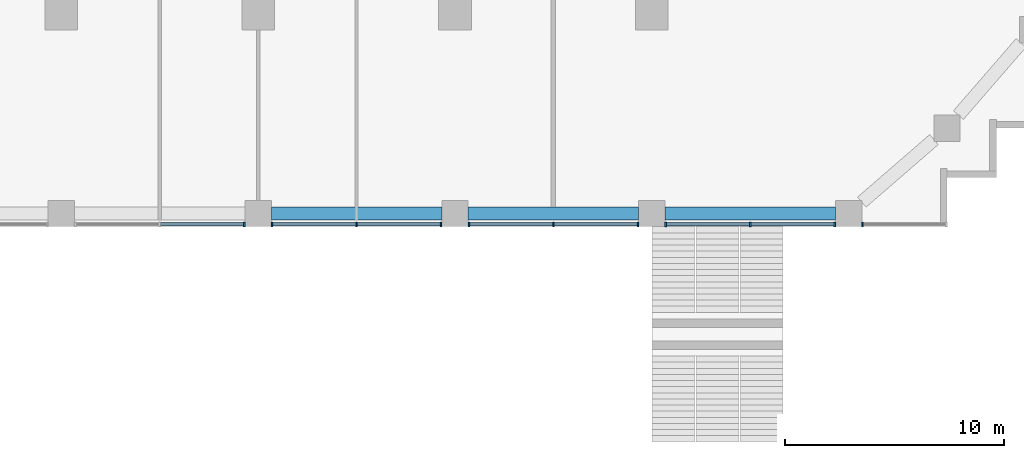
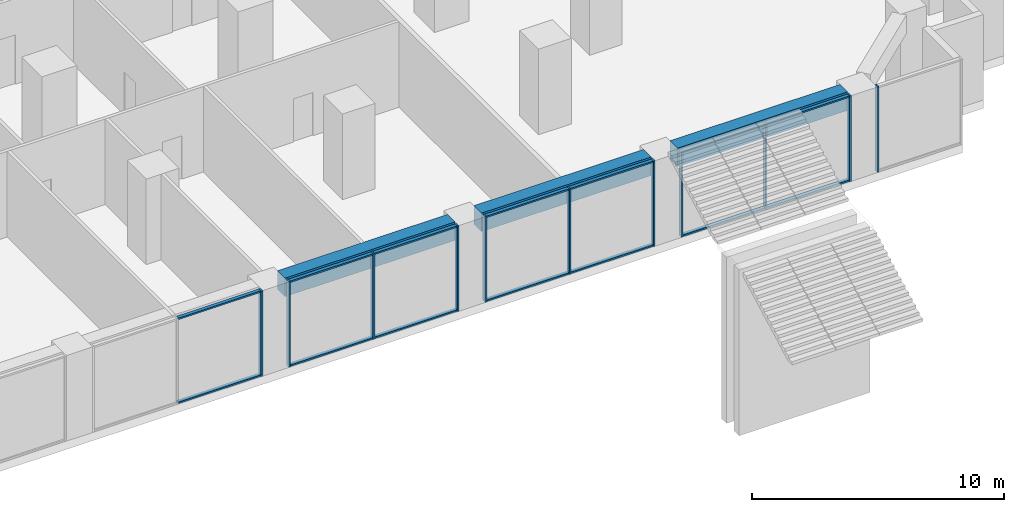
# One storey, part 4 of 18: 25 members, 3 beams, 5 elements without a shape of their own.
"""IFC4 building model written with IfcOpenShell, lengths in metres."""

from ifc_helpers import new_model, si_unit, direction, frame, origin, origin_2d, place, context, subcontext, project, spatial, rectangle, extrude, material, material_profile, profile_set, type_object, element, aggregate, save


model = new_model("IFC4")

# Units and contexts
model_context = context("Model", 3, precision=1e-05, world=origin(), true_north=direction((0.0, 1.0)))
body_context = subcontext(model_context, "Body", "Model", "MODEL_VIEW")
ifc_project = project(units=[si_unit("LENGTHUNIT", "METRE"), si_unit("AREAUNIT", "SQUARE_METRE"), si_unit("VOLUMEUNIT", "CUBIC_METRE"), si_unit("PLANEANGLEUNIT", "RADIAN"), si_unit("MASSUNIT", "GRAM", prefix="KILO")], contexts=[model_context])

# Site, building, storey
site_placement = place(None, origin())
site = spatial("IfcSite", under=ifc_project, at=site_placement, CompositionType="ELEMENT")
building_placement = place(site_placement, origin())
building = spatial("IfcBuilding", under=site, at=building_placement, Name="Orbiselva Terraces", CompositionType="ELEMENT")
storey_placement = place(building_placement, frame((0.0, 0.0, 6.0)))
storey = spatial("IfcBuildingStorey", under=building, at=storey_placement, Name="L01", CompositionType="ELEMENT", Elevation=6.0)

# Curtain wall, member
ifc_material_1 = material(Name="Clear low-e glazing in aluminium frame", Category="aluminium")
curtain_wall_type = type_object("IfcCurtainWallType", Name="ENV-CW-LOBBY", PredefinedType="NOTDEFINED", material=ifc_material_1)
curtain_wall_1_placement = place(storey_placement, origin())
curtain_wall_1 = element("IfcCurtainWall", 1, at=curtain_wall_1_placement, inside=storey, type_object=curtain_wall_type, Name="Curtain wall L01 S", PredefinedType="NOTDEFINED")
ifc_material_2 = material(Name="Anodised aluminium", Category="aluminium")
ifc_material_profile_1 = material_profile(ifc_material_2, rectangle(XDim=0.2, YDim=0.075, at=origin_2d()), Name="AL 75x200")
ifc_profile_set_1 = profile_set([ifc_material_profile_1], Name="Anodised aluminium")
member_type_1 = type_object("IfcMemberType", Name="ENV-CW-LOBBY-MULLION-75x200", PredefinedType="MULLION", material=ifc_profile_set_1)
member_1_placement = place(storey_placement, frame((-0.6375, -31.4, 0.0), z_axis=(0.0, 0.0, 1.0), x_axis=(0.0, 1.0, 0.0)))
member_1 = element("IfcMember", 2, at=member_1_placement, type_object=member_type_1, Name="CW1 mullion 3", PredefinedType="MULLION", context=body_context, shape_type="SweptSolid", body=[
    extrude(rectangle(XDim=0.2, YDim=0.075, at=origin_2d()), origin(), (0.0, 0.0, 1.0), 4.15),
])

# Curtain wall, members
curtain_wall_2_placement = place(storey_placement, origin())
curtain_wall_2 = element("IfcCurtainWall", 3, at=curtain_wall_2_placement, inside=storey, type_object=curtain_wall_type, Name="Curtain wall L01 S", PredefinedType="NOTDEFINED")
member_2_placement = place(storey_placement, frame((0.6375, -31.4, 0.0), z_axis=(0.0, 0.0, 1.0), x_axis=(0.0, 1.0, 0.0)))
member_2 = element("IfcMember", 4, at=member_2_placement, type_object=member_type_1, Name="CW1 mullion 1", PredefinedType="MULLION", context=body_context, shape_type="SweptSolid", body=[
    extrude(rectangle(XDim=0.2, YDim=0.075, at=origin_2d()), origin(), (0.0, 0.0, 1.0), 4.15),
])
member_3_placement = place(storey_placement, frame((4.5, -31.4, 0.0), z_axis=(0.0, 0.0, 1.0), x_axis=(0.0, 1.0, 0.0)))
member_3 = element("IfcMember", 5, at=member_3_placement, type_object=member_type_1, Name="CW1 mullion 2", PredefinedType="MULLION", context=body_context, shape_type="SweptSolid", body=[
    extrude(rectangle(XDim=0.2, YDim=0.075, at=origin_2d()), origin(), (0.0, 0.0, 1.0), 4.15),
])
member_4_placement = place(storey_placement, frame((8.3625, -31.4, 0.0), z_axis=(0.0, 0.0, 1.0), x_axis=(0.0, 1.0, 0.0)))
member_4 = element("IfcMember", 6, at=member_4_placement, type_object=member_type_1, Name="CW1 mullion 3", PredefinedType="MULLION", context=body_context, shape_type="SweptSolid", body=[
    extrude(rectangle(XDim=0.2, YDim=0.075, at=origin_2d()), origin(), (0.0, 0.0, 1.0), 4.15),
])

curtain_wall_3_placement = place(storey_placement, origin())
curtain_wall_3 = element("IfcCurtainWall", 7, at=curtain_wall_3_placement, inside=storey, type_object=curtain_wall_type, Name="Curtain wall L01 S", PredefinedType="NOTDEFINED")
member_5_placement = place(storey_placement, frame((9.6375, -31.4, 0.0), z_axis=(0.0, 0.0, 1.0), x_axis=(0.0, 1.0, 0.0)))
member_5 = element("IfcMember", 8, at=member_5_placement, type_object=member_type_1, Name="CW1 mullion 1", PredefinedType="MULLION", context=body_context, shape_type="SweptSolid", body=[
    extrude(rectangle(XDim=0.2, YDim=0.075, at=origin_2d()), origin(), (0.0, 0.0, 1.0), 4.15),
])
member_6_placement = place(storey_placement, frame((13.5, -31.4, 0.0), z_axis=(0.0, 0.0, 1.0), x_axis=(0.0, 1.0, 0.0)))
member_6 = element("IfcMember", 9, at=member_6_placement, type_object=member_type_1, Name="CW1 mullion 2", PredefinedType="MULLION", context=body_context, shape_type="SweptSolid", body=[
    extrude(rectangle(XDim=0.2, YDim=0.075, at=origin_2d()), origin(), (0.0, 0.0, 1.0), 4.15),
])
member_7_placement = place(storey_placement, frame((17.3625, -31.4, 0.0), z_axis=(0.0, 0.0, 1.0), x_axis=(0.0, 1.0, 0.0)))
member_7 = element("IfcMember", 10, at=member_7_placement, type_object=member_type_1, Name="CW1 mullion 3", PredefinedType="MULLION", context=body_context, shape_type="SweptSolid", body=[
    extrude(rectangle(XDim=0.2, YDim=0.075, at=origin_2d()), origin(), (0.0, 0.0, 1.0), 4.15),
])

curtain_wall_4_placement = place(storey_placement, origin())
curtain_wall_4 = element("IfcCurtainWall", 11, at=curtain_wall_4_placement, inside=storey, type_object=curtain_wall_type, Name="Curtain wall L01 S", PredefinedType="NOTDEFINED")
member_8_placement = place(storey_placement, frame((18.6375, -31.4, 0.0), z_axis=(0.0, 0.0, 1.0), x_axis=(0.0, 1.0, 0.0)))
member_8 = element("IfcMember", 12, at=member_8_placement, type_object=member_type_1, Name="CW1 mullion 1", PredefinedType="MULLION", context=body_context, shape_type="SweptSolid", body=[
    extrude(rectangle(XDim=0.2, YDim=0.075, at=origin_2d()), origin(), (0.0, 0.0, 1.0), 4.15),
])
member_9_placement = place(storey_placement, frame((22.5, -31.4, 0.0), z_axis=(0.0, 0.0, 1.0), x_axis=(0.0, 1.0, 0.0)))
member_9 = element("IfcMember", 13, at=member_9_placement, type_object=member_type_1, Name="CW1 mullion 2", PredefinedType="MULLION", context=body_context, shape_type="SweptSolid", body=[
    extrude(rectangle(XDim=0.2, YDim=0.075, at=origin_2d()), origin(), (0.0, 0.0, 1.0), 4.15),
])
member_10_placement = place(storey_placement, frame((26.3625, -31.4, 0.0), z_axis=(0.0, 0.0, 1.0), x_axis=(0.0, 1.0, 0.0)))
member_10 = element("IfcMember", 14, at=member_10_placement, type_object=member_type_1, Name="CW1 mullion 3", PredefinedType="MULLION", context=body_context, shape_type="SweptSolid", body=[
    extrude(rectangle(XDim=0.2, YDim=0.075, at=origin_2d()), origin(), (0.0, 0.0, 1.0), 4.15),
])

# Curtain wall, member
curtain_wall_5_placement = place(storey_placement, origin())
curtain_wall_5 = element("IfcCurtainWall", 15, at=curtain_wall_5_placement, inside=storey, type_object=curtain_wall_type, Name="Curtain wall L01 S", PredefinedType="NOTDEFINED")
member_11_placement = place(storey_placement, frame((27.6375, -31.4, 0.0), z_axis=(0.0, 0.0, 1.0), x_axis=(0.0, 1.0, 0.0)))
member_11 = element("IfcMember", 16, at=member_11_placement, type_object=member_type_1, Name="CW1 mullion 1", PredefinedType="MULLION", context=body_context, shape_type="SweptSolid", body=[
    extrude(rectangle(XDim=0.2, YDim=0.075, at=origin_2d()), origin(), (0.0, 0.0, 1.0), 4.15),
])
aggregate(curtain_wall_5, [member_11])

# Member
ifc_material_profile_2 = material_profile(ifc_material_2, rectangle(XDim=0.16, YDim=0.075, at=origin_2d()), Name="AL 75x160")
ifc_profile_set_2 = profile_set([ifc_material_profile_2], Name="Anodised aluminium")
member_type_2 = type_object("IfcMemberType", Name="ENV-CW-LOBBY-TRANSOM-75x160", PredefinedType="USERDEFINED", material=ifc_profile_set_2)
member_12_placement = place(storey_placement, frame((-4.4625, -31.4, 0.0375), z_axis=(1.0, 0.0, 0.0), x_axis=(0.0, 1.0, 0.0)))
member_12 = element("IfcMember", 17, at=member_12_placement, type_object=member_type_2, Name="CW1 transom 2.1", ObjectType="TRANSOM", PredefinedType="USERDEFINED", context=body_context, shape_type="SweptSolid", body=[
    extrude(rectangle(XDim=0.16, YDim=0.075, at=origin_2d()), origin(), (0.0, 0.0, 1.0), 3.7875),
])

member_13_placement = place(storey_placement, frame((-4.4625, -31.4, 4.1125), z_axis=(1.0, 0.0, 0.0), x_axis=(0.0, 1.0, 0.0)))
member_13 = element("IfcMember", 18, at=member_13_placement, type_object=member_type_2, Name="CW1 transom 2.2", ObjectType="TRANSOM", PredefinedType="USERDEFINED", context=body_context, shape_type="SweptSolid", body=[
    extrude(rectangle(XDim=0.16, YDim=0.075, at=origin_2d()), origin(), (0.0, 0.0, 1.0), 3.7875),
])

aggregate(curtain_wall_1, [member_1, member_12, member_13])

member_14_placement = place(storey_placement, frame((0.675, -31.4, 0.0375), z_axis=(1.0, 0.0, 0.0), x_axis=(0.0, 1.0, 0.0)))
member_14 = element("IfcMember", 19, at=member_14_placement, type_object=member_type_2, Name="CW1 transom 1.1", ObjectType="TRANSOM", PredefinedType="USERDEFINED", context=body_context, shape_type="SweptSolid", body=[
    extrude(rectangle(XDim=0.16, YDim=0.075, at=origin_2d()), origin(), (0.0, 0.0, 1.0), 3.7875),
])

member_15_placement = place(storey_placement, frame((0.675, -31.4, 4.1125), z_axis=(1.0, 0.0, 0.0), x_axis=(0.0, 1.0, 0.0)))
member_15 = element("IfcMember", 20, at=member_15_placement, type_object=member_type_2, Name="CW1 transom 1.2", ObjectType="TRANSOM", PredefinedType="USERDEFINED", context=body_context, shape_type="SweptSolid", body=[
    extrude(rectangle(XDim=0.16, YDim=0.075, at=origin_2d()), origin(), (0.0, 0.0, 1.0), 3.7875),
])

member_16_placement = place(storey_placement, frame((4.5375, -31.4, 0.0375), z_axis=(1.0, 0.0, 0.0), x_axis=(0.0, 1.0, 0.0)))
member_16 = element("IfcMember", 21, at=member_16_placement, type_object=member_type_2, Name="CW1 transom 2.1", ObjectType="TRANSOM", PredefinedType="USERDEFINED", context=body_context, shape_type="SweptSolid", body=[
    extrude(rectangle(XDim=0.16, YDim=0.075, at=origin_2d()), origin(), (0.0, 0.0, 1.0), 3.7875),
])

member_17_placement = place(storey_placement, frame((4.5375, -31.4, 4.1125), z_axis=(1.0, 0.0, 0.0), x_axis=(0.0, 1.0, 0.0)))
member_17 = element("IfcMember", 22, at=member_17_placement, type_object=member_type_2, Name="CW1 transom 2.2", ObjectType="TRANSOM", PredefinedType="USERDEFINED", context=body_context, shape_type="SweptSolid", body=[
    extrude(rectangle(XDim=0.16, YDim=0.075, at=origin_2d()), origin(), (0.0, 0.0, 1.0), 3.7875),
])

aggregate(curtain_wall_2, [member_2, member_3, member_4, member_14, member_15, member_16, member_17])

member_18_placement = place(storey_placement, frame((9.675, -31.4, 0.0375), z_axis=(1.0, 0.0, 0.0), x_axis=(0.0, 1.0, 0.0)))
member_18 = element("IfcMember", 23, at=member_18_placement, type_object=member_type_2, Name="CW1 transom 1.1", ObjectType="TRANSOM", PredefinedType="USERDEFINED", context=body_context, shape_type="SweptSolid", body=[
    extrude(rectangle(XDim=0.16, YDim=0.075, at=origin_2d()), origin(), (0.0, 0.0, 1.0), 3.7875),
])

member_19_placement = place(storey_placement, frame((9.675, -31.4, 4.1125), z_axis=(1.0, 0.0, 0.0), x_axis=(0.0, 1.0, 0.0)))
member_19 = element("IfcMember", 24, at=member_19_placement, type_object=member_type_2, Name="CW1 transom 1.2", ObjectType="TRANSOM", PredefinedType="USERDEFINED", context=body_context, shape_type="SweptSolid", body=[
    extrude(rectangle(XDim=0.16, YDim=0.075, at=origin_2d()), origin(), (0.0, 0.0, 1.0), 3.7875),
])

member_20_placement = place(storey_placement, frame((13.5375, -31.4, 0.0375), z_axis=(1.0, 0.0, 0.0), x_axis=(0.0, 1.0, 0.0)))
member_20 = element("IfcMember", 25, at=member_20_placement, type_object=member_type_2, Name="CW1 transom 2.1", ObjectType="TRANSOM", PredefinedType="USERDEFINED", context=body_context, shape_type="SweptSolid", body=[
    extrude(rectangle(XDim=0.16, YDim=0.075, at=origin_2d()), origin(), (0.0, 0.0, 1.0), 3.7875),
])

member_21_placement = place(storey_placement, frame((13.5375, -31.4, 4.1125), z_axis=(1.0, 0.0, 0.0), x_axis=(0.0, 1.0, 0.0)))
member_21 = element("IfcMember", 26, at=member_21_placement, type_object=member_type_2, Name="CW1 transom 2.2", ObjectType="TRANSOM", PredefinedType="USERDEFINED", context=body_context, shape_type="SweptSolid", body=[
    extrude(rectangle(XDim=0.16, YDim=0.075, at=origin_2d()), origin(), (0.0, 0.0, 1.0), 3.7875),
])

aggregate(curtain_wall_3, [member_5, member_6, member_7, member_18, member_19, member_20, member_21])

member_22_placement = place(storey_placement, frame((18.675, -31.4, 0.0375), z_axis=(1.0, 0.0, 0.0), x_axis=(0.0, 1.0, 0.0)))
member_22 = element("IfcMember", 27, at=member_22_placement, type_object=member_type_2, Name="CW1 transom 1.1", ObjectType="TRANSOM", PredefinedType="USERDEFINED", context=body_context, shape_type="SweptSolid", body=[
    extrude(rectangle(XDim=0.16, YDim=0.075, at=origin_2d()), origin(), (0.0, 0.0, 1.0), 3.7875),
])

member_23_placement = place(storey_placement, frame((18.675, -31.4, 4.1125), z_axis=(1.0, 0.0, 0.0), x_axis=(0.0, 1.0, 0.0)))
member_23 = element("IfcMember", 28, at=member_23_placement, type_object=member_type_2, Name="CW1 transom 1.2", ObjectType="TRANSOM", PredefinedType="USERDEFINED", context=body_context, shape_type="SweptSolid", body=[
    extrude(rectangle(XDim=0.16, YDim=0.075, at=origin_2d()), origin(), (0.0, 0.0, 1.0), 3.7875),
])

member_24_placement = place(storey_placement, frame((22.5375, -31.4, 0.0375), z_axis=(1.0, 0.0, 0.0), x_axis=(0.0, 1.0, 0.0)))
member_24 = element("IfcMember", 29, at=member_24_placement, type_object=member_type_2, Name="CW1 transom 2.1", ObjectType="TRANSOM", PredefinedType="USERDEFINED", context=body_context, shape_type="SweptSolid", body=[
    extrude(rectangle(XDim=0.16, YDim=0.075, at=origin_2d()), origin(), (0.0, 0.0, 1.0), 3.7875),
])

member_25_placement = place(storey_placement, frame((22.5375, -31.4, 4.1125), z_axis=(1.0, 0.0, 0.0), x_axis=(0.0, 1.0, 0.0)))
member_25 = element("IfcMember", 30, at=member_25_placement, type_object=member_type_2, Name="CW1 transom 2.2", ObjectType="TRANSOM", PredefinedType="USERDEFINED", context=body_context, shape_type="SweptSolid", body=[
    extrude(rectangle(XDim=0.16, YDim=0.075, at=origin_2d()), origin(), (0.0, 0.0, 1.0), 3.7875),
])

aggregate(curtain_wall_4, [member_8, member_9, member_10, member_22, member_23, member_24, member_25])

# Beams
ifc_material_3 = material(Name="Concrete C60/75", Category="concrete")
ifc_material_profile_3 = material_profile(ifc_material_3, rectangle(XDim=0.6, YDim=0.9, at=origin_2d()), Name="RC 600x900")
ifc_profile_set_3 = profile_set([ifc_material_profile_3], Name="Concrete C60/75")
beam_type = type_object("IfcBeamType", Name="PODIUM GIRDER RC 600x900", PredefinedType="BEAM", material=ifc_profile_set_3)
for number, where, z_axis, x_axis, name in (
    (31, (0.6, -30.9, 3.7), (1.0, 0.0, 0.0), (0.0, 1.0, 0.0), "Podium girder 08"),
    (32, (9.6, -30.9, 3.7), (1.0, 0.0, 0.0), (0.0, 1.0, 0.0), "Podium girder 09"),
    (33, (18.6, -30.9, 3.7), (1.0, 0.0, 0.0), (0.0, 1.0, 0.0), "Podium girder 10"),
):
    element("IfcBeam", number, at=place(storey_placement, frame(where, z_axis=z_axis, x_axis=x_axis)), inside=storey, type_object=beam_type, Name=name, PredefinedType="BEAM", context=body_context, shape_type="SweptSolid", body=[
        extrude(rectangle(XDim=0.6, YDim=0.9, at=origin_2d()), origin(), (0.0, 0.0, 1.0), 7.8),
    ])

save(model, "model.ifc")
